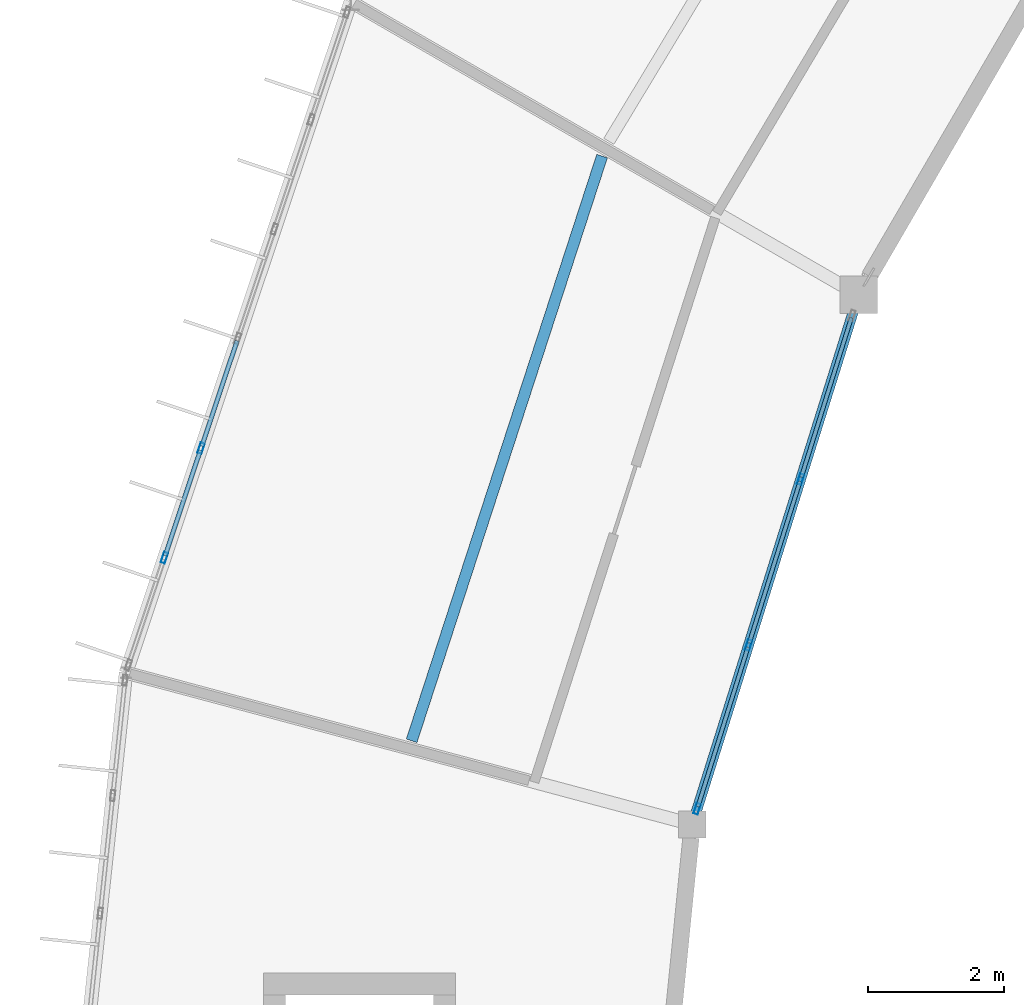
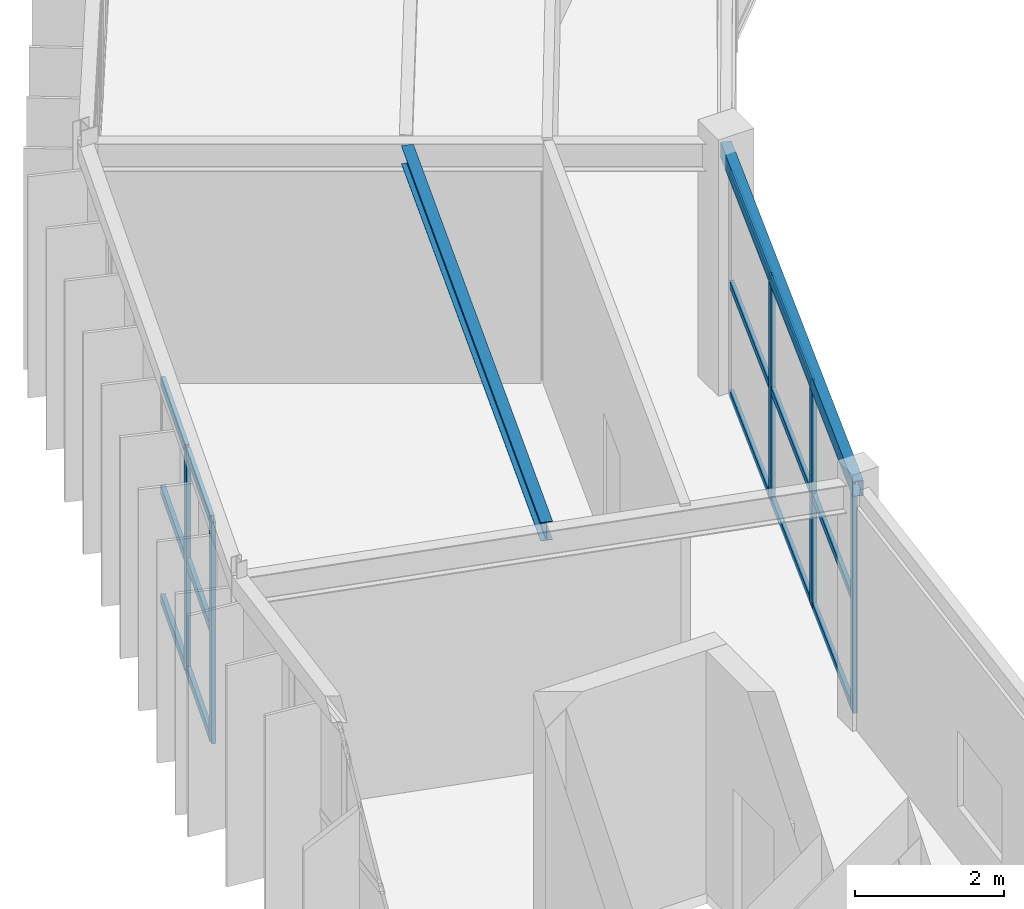
# One storey, part 53 of 157: 20 members, 2 beams, 2 elements without a shape of their own.
"""IFC4 building model written with IfcOpenShell, lengths in metres."""

from ifc_helpers import new_model, si_unit, direction, frame, origin, origin_2d, place, context, subcontext, project, spatial, hollow_rectangle, i_section, extrude, material, material_profile, profile_set, type_object, element, aggregate, save


model = new_model("IFC4")

# Units and contexts
model_context = context("Model", 3, precision=1e-05, world=origin(), true_north=direction((0.0, 1.0)))
body_context = subcontext(model_context, "Body", "Model", "MODEL_VIEW")
ifc_project = project(units=[si_unit("LENGTHUNIT", "METRE"), si_unit("AREAUNIT", "SQUARE_METRE"), si_unit("VOLUMEUNIT", "CUBIC_METRE"), si_unit("PLANEANGLEUNIT", "RADIAN"), si_unit("MASSUNIT", "GRAM", prefix="KILO")], contexts=[model_context])

# Site, building, storey
site_placement = place(None, origin())
site = spatial("IfcSite", under=ifc_project, at=site_placement, CompositionType="ELEMENT")
building_placement = place(site_placement, origin())
building = spatial("IfcBuilding", under=site, at=building_placement, Name="Karori Crest Natural Sciences Institute", CompositionType="ELEMENT")
storey_placement = place(building_placement, frame((0.0, 0.0, 13.300048828125)))
storey = spatial("IfcBuildingStorey", under=building, at=storey_placement, Name="L03", CompositionType="ELEMENT", Elevation=13.300048828125)

# Beams
ifc_material_1 = material(Name="Structural steel AS/NZS 3679.1 Grade 350", Category="steel")
ifc_material_profile_1 = material_profile(ifc_material_1, i_section(OverallWidth=0.1650390625, OverallDepth=0.303955078125, WebThickness=0.006103515625, FlangeThickness=0.01025390625, FilletRadius=0.010986328125, at=origin_2d()), Name="310UB40.4")
ifc_profile_set_1 = profile_set([ifc_material_profile_1], Name="Structural steel AS/NZS 3679.1 Grade 350")
beam_type_1 = type_object("IfcBeamType", Name="BT-10", PredefinedType="BEAM", material=ifc_profile_set_1)
beam_1_placement = place(storey_placement, frame((41.5078125, 68.035888671875, 3.787841796875), z_axis=(-0.309674277679, -0.950842700842, 0.0), x_axis=(0.950842700842, -0.309674277679, 0.0)))
element("IfcBeam", 1, at=beam_1_placement, inside=storey, type_object=beam_type_1, Name="Beam B-0402", PredefinedType="BEAM", context=body_context, shape_type="SweptSolid", body=[
    extrude(i_section(OverallWidth=0.1650390625, OverallDepth=0.303955078125, WebThickness=0.006103515625, FlangeThickness=0.01025390625, FilletRadius=0.010986328125, at=origin_2d()), origin(), (0.0, 0.0, 1.0), 9.018310546875),
])
ifc_material_2 = material(Name="Hollow structural steel AS/NZS 1163 Grade C350", Category="steel")
ifc_material_profile_2 = material_profile(ifc_material_2, hollow_rectangle(XDim=0.14990234375, YDim=0.25, WallThickness=0.009033203125, at=origin_2d()), Name="RHS250x150x9")
ifc_profile_set_2 = profile_set([ifc_material_profile_2], Name="Hollow structural steel AS/NZS 1163 Grade C350")
beam_type_2 = type_object("IfcBeamType", Name="BT-16", PredefinedType="SPANDREL", material=ifc_profile_set_2)
beam_2_placement = place(storey_placement, frame((45.26904296875, 66.0, 3.7900390625), z_axis=(-0.299487310016, -0.954100283586, 0.0), x_axis=(0.954100283586, -0.299487310016, 0.0)))
element("IfcBeam", 2, at=beam_2_placement, inside=storey, type_object=beam_type_2, Name="Beam B-0400", PredefinedType="SPANDREL", context=body_context, shape_type="SweptSolid", body=[
    extrude(hollow_rectangle(XDim=0.14990234375, YDim=0.25, WallThickness=0.009033203125, at=origin_2d()), origin(), (0.0, 0.0, 1.0), 8.1396484375),
])

# Curtain wall, members
ifc_material_3 = material(Name="Anodised architectural aluminium 6063-T6", Category="aluminium")
curtain_wall_type_1 = type_object("IfcCurtainWallType", Name="CWT-01", PredefinedType="NOTDEFINED", material=ifc_material_3)
curtain_wall_1_placement = place(storey_placement, origin())
curtain_wall_1 = element("IfcCurtainWall", 3, at=curtain_wall_1_placement, inside=storey, type_object=curtain_wall_type_1, Name="Curtain wall CW-0115", PredefinedType="NOTDEFINED")
ifc_material_profile_3 = material_profile(ifc_material_3, hollow_rectangle(XDim=0.06494140625, YDim=0.159912109375, WallThickness=0.00390625, at=origin_2d()), Name="CWM160x65x4")
ifc_profile_set_3 = profile_set([ifc_material_profile_3], Name="Anodised architectural aluminium 6063-T6")
member_type_1 = type_object("IfcMemberType", Name="CWM-01", PredefinedType="MULLION", material=ifc_profile_set_3)
member_1_placement = place(storey_placement, frame((35.0888671875, 62.14501953125, 0.0), z_axis=(0.0, 0.0, 1.0), x_axis=(-0.94819805026, 0.317679803392, 0.0)))
member_1 = element("IfcMember", 4, at=member_1_placement, type_object=member_type_1, Name="CW-0115 mullion 2", PredefinedType="MULLION", context=body_context, shape_type="SweptSolid", body=[
    extrude(hollow_rectangle(XDim=0.06494140625, YDim=0.159912109375, WallThickness=0.00390625, at=origin_2d()), origin(), (0.0, 0.0, 1.0), 3.625),
])
member_2_placement = place(storey_placement, frame((35.626953125, 63.7509765625, 0.0), z_axis=(0.0, 0.0, 1.0), x_axis=(-0.94819805026, 0.317679803392, 0.0)))
member_2 = element("IfcMember", 5, at=member_2_placement, type_object=member_type_1, Name="CW-0115 mullion 3", PredefinedType="MULLION", context=body_context, shape_type="SweptSolid", body=[
    extrude(hollow_rectangle(XDim=0.06494140625, YDim=0.159912109375, WallThickness=0.00390625, at=origin_2d()), origin(), (0.0, 0.0, 1.0), 3.625),
])

curtain_wall_type_2 = type_object("IfcCurtainWallType", Name="CWT-11", PredefinedType="NOTDEFINED", material=ifc_material_3)
curtain_wall_2_placement = place(storey_placement, origin())
curtain_wall_2 = element("IfcCurtainWall", 6, at=curtain_wall_2_placement, inside=storey, type_object=curtain_wall_type_2, Name="Curtain wall CW-0116", PredefinedType="NOTDEFINED")
member_3_placement = place(storey_placement, frame((44.420166015625, 63.29541015625, 0.0), z_axis=(0.0, 0.0, 1.0), x_axis=(0.954104067778, -0.299475254154, 0.0)))
member_3 = element("IfcMember", 7, at=member_3_placement, type_object=member_type_1, Name="CW-0116 mullion 2", PredefinedType="MULLION", context=body_context, shape_type="SweptSolid", body=[
    extrude(hollow_rectangle(XDim=0.06494140625, YDim=0.159912109375, WallThickness=0.00390625, at=origin_2d()), origin(), (0.0, 0.0, 1.0), 3.64990234375),
])
member_4_placement = place(storey_placement, frame((43.65673828125, 60.86376953125, 0.0), z_axis=(0.0, 0.0, 1.0), x_axis=(0.954104067778, -0.299475254154, 0.0)))
member_4 = element("IfcMember", 8, at=member_4_placement, type_object=member_type_1, Name="CW-0116 mullion 3", PredefinedType="MULLION", context=body_context, shape_type="SweptSolid", body=[
    extrude(hollow_rectangle(XDim=0.06494140625, YDim=0.159912109375, WallThickness=0.00390625, at=origin_2d()), origin(), (0.0, 0.0, 1.0), 3.64990234375),
])
member_5_placement = place(storey_placement, frame((42.9033203125, 58.463134765625, 0.0), z_axis=(0.0, 0.0, 1.0), x_axis=(0.954104067778, -0.299475254154, 0.0)))
member_5 = element("IfcMember", 9, at=member_5_placement, type_object=member_type_1, Name="CW-0116 mullion 4", PredefinedType="MULLION", context=body_context, shape_type="SweptSolid", body=[
    extrude(hollow_rectangle(XDim=0.06494140625, YDim=0.159912109375, WallThickness=0.00390625, at=origin_2d()), origin(), (0.0, 0.0, 1.0), 3.64990234375),
])
ifc_material_profile_4 = material_profile(ifc_material_3, hollow_rectangle(XDim=0.06005859375, YDim=0.1201171875, WallThickness=0.00390625, at=origin_2d()), Name="CWT120x60x4")
ifc_profile_set_4 = profile_set([ifc_material_profile_4], Name="Anodised architectural aluminium 6063-T6")
member_type_2 = type_object("IfcMemberType", Name="CWT-TR1", PredefinedType="USERDEFINED", material=ifc_profile_set_4)
member_6_placement = place(storey_placement, frame((45.163818359375, 65.664794921875, 0.030029296875), z_axis=(-0.299533888531, -0.954085661574, 0.0), x_axis=(0.954085661574, -0.299533888531, 0.0)))
member_6 = element("IfcMember", 10, at=member_6_placement, type_object=member_type_2, Name="CW-0116 transom 1.1", ObjectType="TRANSOM", PredefinedType="USERDEFINED", context=body_context, shape_type="SweptSolid", body=[
    extrude(hollow_rectangle(XDim=0.06005859375, YDim=0.1201171875, WallThickness=0.00390625, at=origin_2d()), origin(), (0.0, 0.0, 1.0), 2.450927734375),
])
member_7_placement = place(storey_placement, frame((45.163818359375, 65.664794921875, 1.824951171875), z_axis=(-0.299533888531, -0.954085661574, 0.0), x_axis=(0.954085661574, -0.299533888531, 0.0)))
member_7 = element("IfcMember", 11, at=member_7_placement, type_object=member_type_2, Name="CW-0116 transom 1.2", ObjectType="TRANSOM", PredefinedType="USERDEFINED", context=body_context, shape_type="SweptSolid", body=[
    extrude(hollow_rectangle(XDim=0.06005859375, YDim=0.1201171875, WallThickness=0.00390625, at=origin_2d()), origin(), (0.0, 0.0, 1.0), 2.450927734375),
])
member_8_placement = place(storey_placement, frame((45.163818359375, 65.664794921875, 3.619873046875), z_axis=(-0.299533888531, -0.954085661574, 0.0), x_axis=(0.954085661574, -0.299533888531, 0.0)))
member_8 = element("IfcMember", 12, at=member_8_placement, type_object=member_type_2, Name="CW-0116 transom 1.3", ObjectType="TRANSOM", PredefinedType="USERDEFINED", context=body_context, shape_type="SweptSolid", body=[
    extrude(hollow_rectangle(XDim=0.06005859375, YDim=0.1201171875, WallThickness=0.00390625, at=origin_2d()), origin(), (0.0, 0.0, 1.0), 2.450927734375),
])
member_9_placement = place(storey_placement, frame((44.410400390625, 63.264404296875, 0.030029296875), z_axis=(-0.299517296731, -0.954090870389, 0.0), x_axis=(0.954090870389, -0.299517296731, 0.0)))
member_9 = element("IfcMember", 13, at=member_9_placement, type_object=member_type_2, Name="CW-0116 transom 2.1", ObjectType="TRANSOM", PredefinedType="USERDEFINED", context=body_context, shape_type="SweptSolid", body=[
    extrude(hollow_rectangle(XDim=0.06005859375, YDim=0.1201171875, WallThickness=0.00390625, at=origin_2d()), origin(), (0.0, 0.0, 1.0), 2.483642578125),
])
member_10_placement = place(storey_placement, frame((44.410400390625, 63.264404296875, 1.824951171875), z_axis=(-0.299517296731, -0.954090870389, 0.0), x_axis=(0.954090870389, -0.299517296731, 0.0)))
member_10 = element("IfcMember", 14, at=member_10_placement, type_object=member_type_2, Name="CW-0116 transom 2.2", ObjectType="TRANSOM", PredefinedType="USERDEFINED", context=body_context, shape_type="SweptSolid", body=[
    extrude(hollow_rectangle(XDim=0.06005859375, YDim=0.1201171875, WallThickness=0.00390625, at=origin_2d()), origin(), (0.0, 0.0, 1.0), 2.483642578125),
])
member_11_placement = place(storey_placement, frame((44.410400390625, 63.264404296875, 3.619873046875), z_axis=(-0.299517296731, -0.954090870389, 0.0), x_axis=(0.954090870389, -0.299517296731, 0.0)))
member_11 = element("IfcMember", 15, at=member_11_placement, type_object=member_type_2, Name="CW-0116 transom 2.3", ObjectType="TRANSOM", PredefinedType="USERDEFINED", context=body_context, shape_type="SweptSolid", body=[
    extrude(hollow_rectangle(XDim=0.06005859375, YDim=0.1201171875, WallThickness=0.00390625, at=origin_2d()), origin(), (0.0, 0.0, 1.0), 2.483642578125),
])
member_12_placement = place(storey_placement, frame((43.647216796875, 60.832763671875, 0.030029296875), z_axis=(-0.29950542383, -0.954094597562, 0.0), x_axis=(0.954094597562, -0.29950542383, 0.0)))
member_12 = element("IfcMember", 16, at=member_12_placement, type_object=member_type_2, Name="CW-0116 transom 3.1", ObjectType="TRANSOM", PredefinedType="USERDEFINED", context=body_context, shape_type="SweptSolid", body=[
    extrude(hollow_rectangle(XDim=0.06005859375, YDim=0.1201171875, WallThickness=0.00390625, at=origin_2d()), origin(), (0.0, 0.0, 1.0), 2.451171875),
])
member_13_placement = place(storey_placement, frame((43.647216796875, 60.832763671875, 1.824951171875), z_axis=(-0.29950542383, -0.954094597562, 0.0), x_axis=(0.954094597562, -0.29950542383, 0.0)))
member_13 = element("IfcMember", 17, at=member_13_placement, type_object=member_type_2, Name="CW-0116 transom 3.2", ObjectType="TRANSOM", PredefinedType="USERDEFINED", context=body_context, shape_type="SweptSolid", body=[
    extrude(hollow_rectangle(XDim=0.06005859375, YDim=0.1201171875, WallThickness=0.00390625, at=origin_2d()), origin(), (0.0, 0.0, 1.0), 2.451171875),
])
member_14_placement = place(storey_placement, frame((43.647216796875, 60.832763671875, 3.619873046875), z_axis=(-0.29950542383, -0.954094597562, 0.0), x_axis=(0.954094597562, -0.29950542383, 0.0)))
member_14 = element("IfcMember", 18, at=member_14_placement, type_object=member_type_2, Name="CW-0116 transom 3.3", ObjectType="TRANSOM", PredefinedType="USERDEFINED", context=body_context, shape_type="SweptSolid", body=[
    extrude(hollow_rectangle(XDim=0.06005859375, YDim=0.1201171875, WallThickness=0.00390625, at=origin_2d()), origin(), (0.0, 0.0, 1.0), 2.451171875),
])
aggregate(curtain_wall_2, [member_3, member_4, member_5, member_6, member_7, member_8, member_9, member_10, member_11, member_12, member_13, member_14])

# Member
ifc_material_profile_5 = material_profile(ifc_material_3, hollow_rectangle(XDim=0.06494140625, YDim=0.14990234375, WallThickness=0.00390625, at=origin_2d()), Name="CWT150x65x4")
ifc_profile_set_5 = profile_set([ifc_material_profile_5], Name="Anodised architectural aluminium 6063-T6")
member_type_3 = type_object("IfcMemberType", Name="CWT-TR2", PredefinedType="USERDEFINED", material=ifc_profile_set_5)
member_15_placement = place(storey_placement, frame((35.099365234375, 62.17578125, 0.032470703125), z_axis=(0.317666571129, 0.948202483432, 0.0), x_axis=(-0.948202483432, 0.317666571129, 0.0)))
member_15 = element("IfcMember", 19, at=member_15_placement, type_object=member_type_3, Name="CW-0115 transom 2.1", ObjectType="TRANSOM", PredefinedType="USERDEFINED", context=body_context, shape_type="SweptSolid", body=[
    extrude(hollow_rectangle(XDim=0.06494140625, YDim=0.14990234375, WallThickness=0.00390625, at=origin_2d()), origin(), (0.0, 0.0, 1.0), 1.628662109375),
])

member_16_placement = place(storey_placement, frame((35.099365234375, 62.17578125, 1.8125), z_axis=(0.317666571129, 0.948202483432, 0.0), x_axis=(-0.948202483432, 0.317666571129, 0.0)))
member_16 = element("IfcMember", 20, at=member_16_placement, type_object=member_type_3, Name="CW-0115 transom 2.2", ObjectType="TRANSOM", PredefinedType="USERDEFINED", context=body_context, shape_type="SweptSolid", body=[
    extrude(hollow_rectangle(XDim=0.06494140625, YDim=0.14990234375, WallThickness=0.00390625, at=origin_2d()), origin(), (0.0, 0.0, 1.0), 1.628662109375),
])

member_17_placement = place(storey_placement, frame((35.099365234375, 62.17578125, 3.592529296875), z_axis=(0.317666571129, 0.948202483432, 0.0), x_axis=(-0.948202483432, 0.317666571129, 0.0)))
member_17 = element("IfcMember", 21, at=member_17_placement, type_object=member_type_3, Name="CW-0115 transom 2.3", ObjectType="TRANSOM", PredefinedType="USERDEFINED", context=body_context, shape_type="SweptSolid", body=[
    extrude(hollow_rectangle(XDim=0.06494140625, YDim=0.14990234375, WallThickness=0.00390625, at=origin_2d()), origin(), (0.0, 0.0, 1.0), 1.628662109375),
])

member_18_placement = place(storey_placement, frame((35.637451171875, 63.78173828125, 0.032470703125), z_axis=(0.317621421426, 0.948217608279, 0.0), x_axis=(-0.948217608279, 0.317621421426, 0.0)))
member_18 = element("IfcMember", 22, at=member_18_placement, type_object=member_type_3, Name="CW-0115 transom 3.1", ObjectType="TRANSOM", PredefinedType="USERDEFINED", context=body_context, shape_type="SweptSolid", body=[
    extrude(hollow_rectangle(XDim=0.06494140625, YDim=0.14990234375, WallThickness=0.00390625, at=origin_2d()), origin(), (0.0, 0.0, 1.0), 1.628662109375),
])

member_19_placement = place(storey_placement, frame((35.637451171875, 63.78173828125, 1.8125), z_axis=(0.317621421426, 0.948217608279, 0.0), x_axis=(-0.948217608279, 0.317621421426, 0.0)))
member_19 = element("IfcMember", 23, at=member_19_placement, type_object=member_type_3, Name="CW-0115 transom 3.2", ObjectType="TRANSOM", PredefinedType="USERDEFINED", context=body_context, shape_type="SweptSolid", body=[
    extrude(hollow_rectangle(XDim=0.06494140625, YDim=0.14990234375, WallThickness=0.00390625, at=origin_2d()), origin(), (0.0, 0.0, 1.0), 1.628662109375),
])

member_20_placement = place(storey_placement, frame((35.637451171875, 63.78173828125, 3.592529296875), z_axis=(0.317621421426, 0.948217608279, 0.0), x_axis=(-0.948217608279, 0.317621421426, 0.0)))
member_20 = element("IfcMember", 24, at=member_20_placement, type_object=member_type_3, Name="CW-0115 transom 3.3", ObjectType="TRANSOM", PredefinedType="USERDEFINED", context=body_context, shape_type="SweptSolid", body=[
    extrude(hollow_rectangle(XDim=0.06494140625, YDim=0.14990234375, WallThickness=0.00390625, at=origin_2d()), origin(), (0.0, 0.0, 1.0), 1.628662109375),
])

aggregate(curtain_wall_1, [member_1, member_2, member_15, member_16, member_17, member_18, member_19, member_20])

save(model, "model.ifc")
